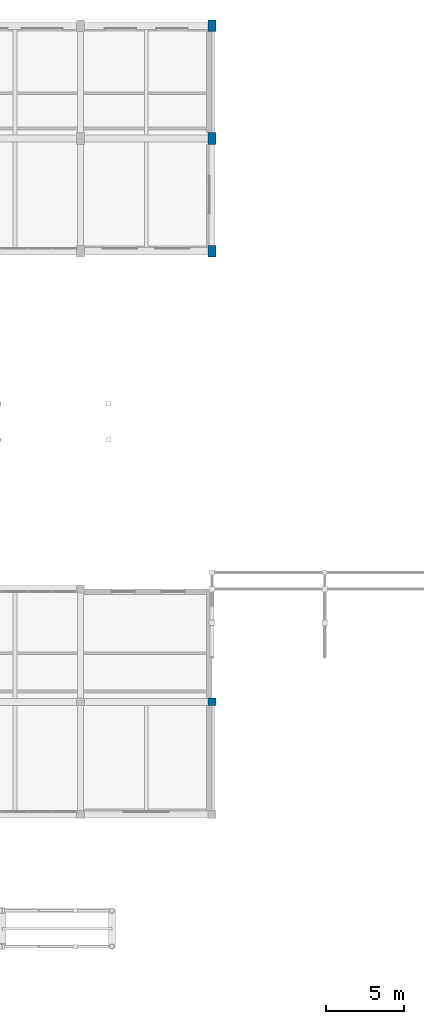
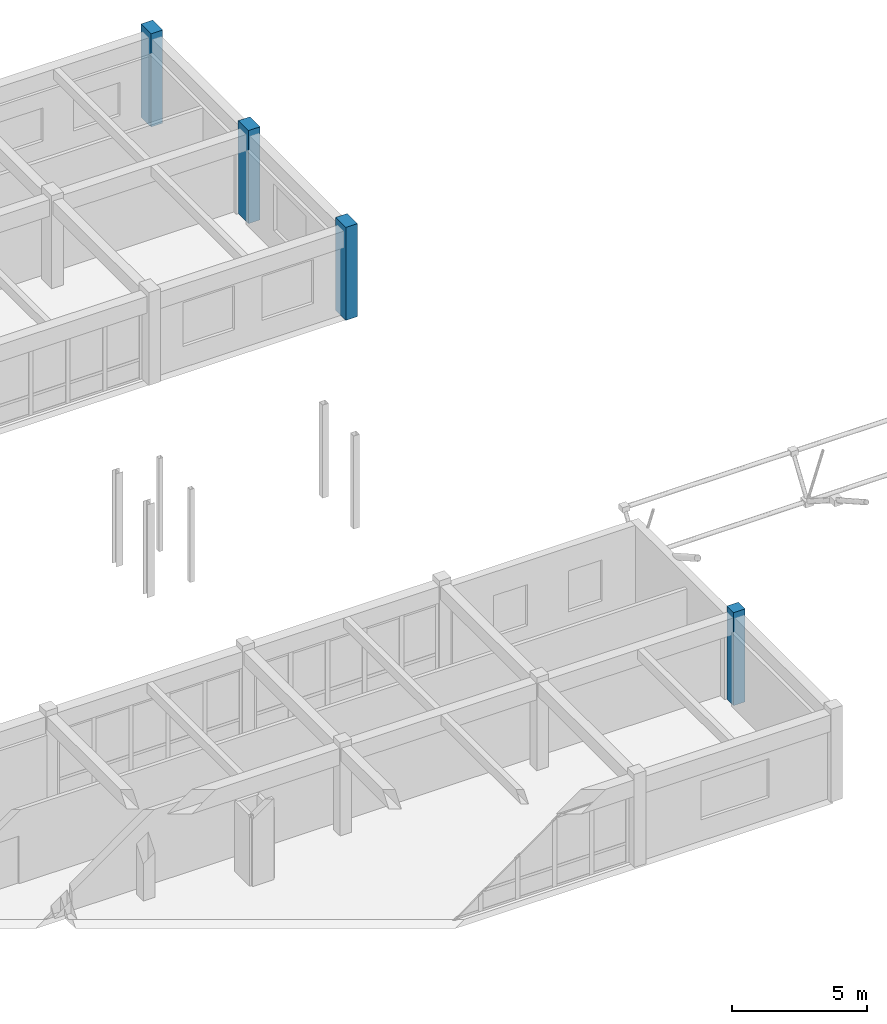
# One storey, part 26 of 90: 4 columns.
"""IFC4 building model written with IfcOpenShell, lengths in metres."""

from ifc_helpers import new_model, si_unit, direction, frame, origin, origin_2d, place, context, subcontext, project, spatial, rectangle, extrude, material, material_profile, profile_set, type_object, element, save


model = new_model("IFC4")

# Units and contexts
model_context = context("Model", 3, precision=1e-05, world=origin(), true_north=direction((0.0, 1.0)))
body_context = subcontext(model_context, "Body", "Model", "MODEL_VIEW")
ifc_project = project(units=[si_unit("LENGTHUNIT", "METRE"), si_unit("AREAUNIT", "SQUARE_METRE"), si_unit("VOLUMEUNIT", "CUBIC_METRE"), si_unit("PLANEANGLEUNIT", "RADIAN"), si_unit("MASSUNIT", "GRAM", prefix="KILO")], contexts=[model_context])

# Site, building, storey
site_placement = place(None, origin())
site = spatial("IfcSite", under=ifc_project, at=site_placement, CompositionType="ELEMENT")
building_placement = place(site_placement, origin())
building = spatial("IfcBuilding", under=site, at=building_placement, Name="Malvenik Polytechnic", CompositionType="ELEMENT")
storey_placement = place(building_placement, frame((0.0, 0.0, 9.300048828125)))
storey = spatial("IfcBuildingStorey", under=building, at=storey_placement, Name="L02", CompositionType="ELEMENT", Elevation=9.300048828125)

# Columns
ifc_material = material(Name="Concrete C35/45", Category="concrete")
ifc_material_profile_1 = material_profile(ifc_material, rectangle(XDim=0.5, YDim=0.5, at=origin_2d()), Name="RC COL 500x500")
ifc_profile_set_1 = profile_set([ifc_material_profile_1], Name="Concrete C35/45")
column_type_1 = type_object("IfcColumnType", Name="STR-COL-C-08", PredefinedType="COLUMN", material=ifc_profile_set_1)
column_placement = place(storey_placement, frame((134.39990234375, 86.39990234375, 0.0), z_axis=(0.0, 0.0, 1.0), x_axis=(1.0, 0.0, 0.0)))
element("IfcColumn", 1, at=column_placement, inside=storey, type_object=column_type_1, Name="Column C-08 L02 (134.4,86.4)", PredefinedType="COLUMN", context=body_context, shape_type="SweptSolid", body=[
    extrude(rectangle(XDim=0.5, YDim=0.5, at=origin_2d()), origin(), (0.0, 0.0, 1.0), 4.199951171875),
])
ifc_material_profile_2 = material_profile(ifc_material, rectangle(XDim=0.5, YDim=0.75, at=origin_2d()), Name="RC COL 750x500")
ifc_profile_set_2 = profile_set([ifc_material_profile_2], Name="Concrete C35/45")
column_type_2 = type_object("IfcColumnType", Name="STR-COL-C-14", PredefinedType="COLUMN", material=ifc_profile_set_2)
for number, where, z_axis, x_axis, name in (
    (2, (134.39990234375, 115.199951171875, 0.0), (0.0, 0.0, 1.0), (1.0, 0.0, 0.0), "Column C-14 L02 (134.4,115.2)"),
    (3, (134.39990234375, 122.39990234375, 0.0), (0.0, 0.0, 1.0), (1.0, 0.0, 0.0), "Column C-14 L02 (134.4,122.4)"),
    (4, (134.39990234375, 129.60009765625, 0.0), (0.0, 0.0, 1.0), (1.0, 0.0, 0.0), "Column C-14 L02 (134.4,129.6)"),
):
    element("IfcColumn", number, at=place(storey_placement, frame(where, z_axis=z_axis, x_axis=x_axis)), inside=storey, type_object=column_type_2, Name=name, PredefinedType="COLUMN", context=body_context, shape_type="SweptSolid", body=[
        extrude(rectangle(XDim=0.5, YDim=0.75, at=origin_2d()), origin(), (0.0, 0.0, 1.0), 4.199951171875),
    ])

save(model, "model.ifc")
